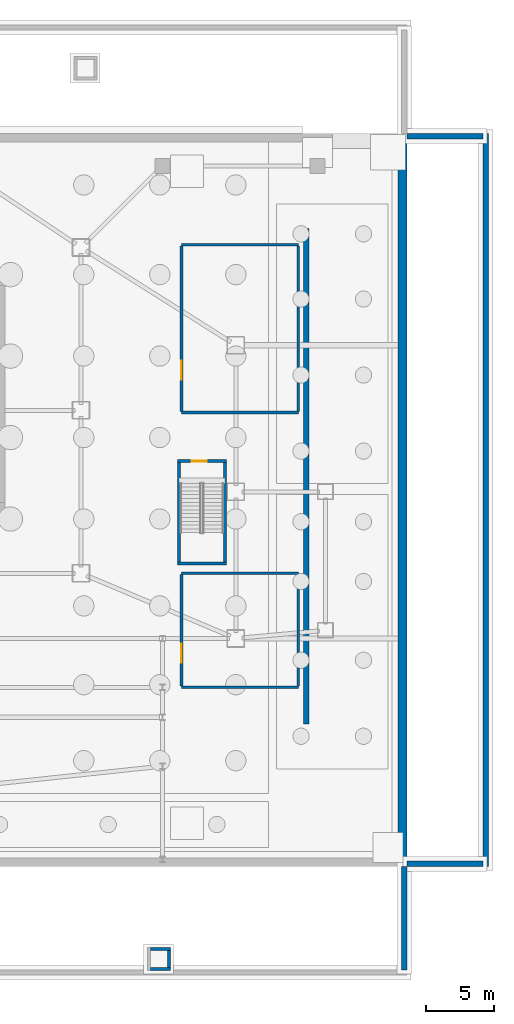
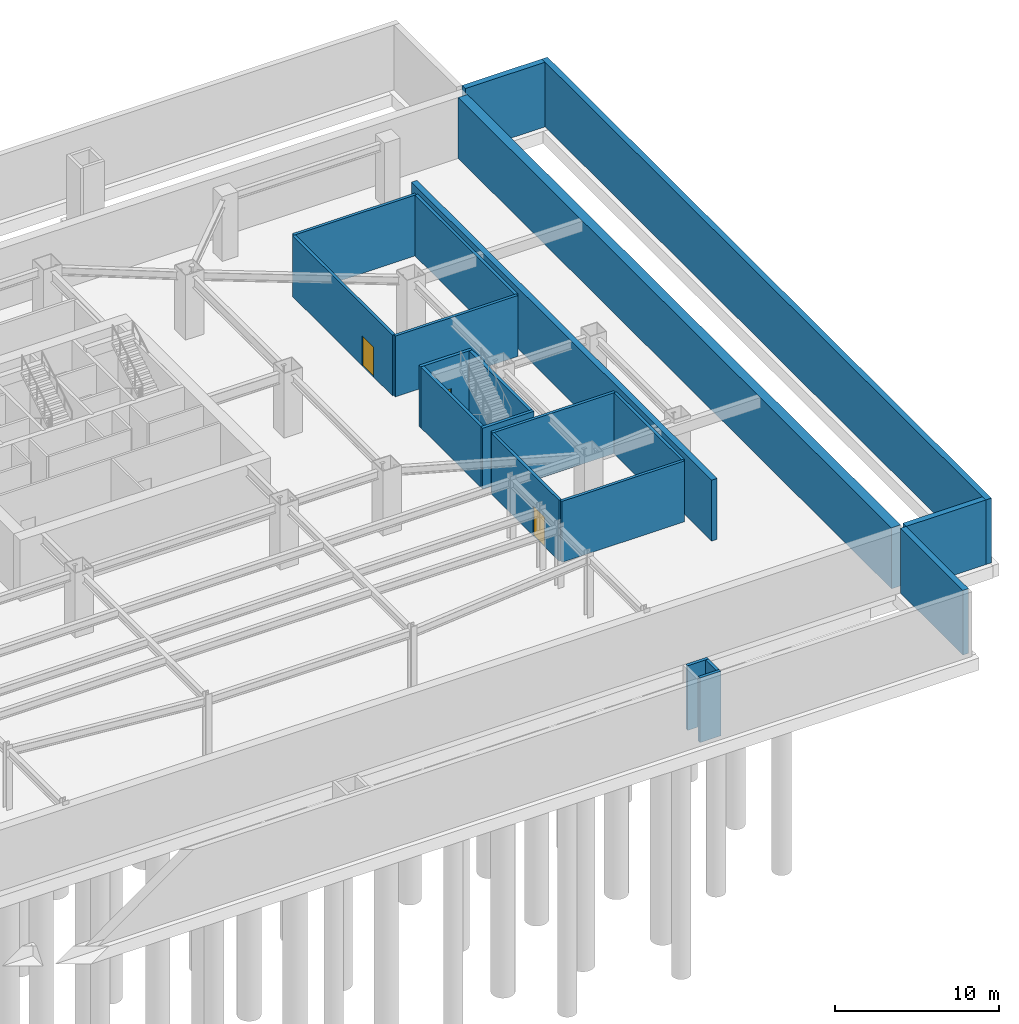
# One storey, part 10 of 15: 21 walls, 3 doors, 3 openings.
"""IFC4 building model written with IfcOpenShell, lengths in metres."""

from ifc_helpers import new_model, si_unit, direction, frame, frame_2d, origin, place, context, subcontext, project, spatial, rectangle, extrude, material, layer, layer_set, type_object, element, fill, save


model = new_model("IFC4")

# Units and contexts
model_context = context("Model", 3, precision=1e-05, world=origin(), true_north=direction((0.0, 1.0)))
body_context = subcontext(model_context, "Body", "Model", "MODEL_VIEW")
ifc_project = project(units=[si_unit("LENGTHUNIT", "METRE"), si_unit("AREAUNIT", "SQUARE_METRE"), si_unit("VOLUMEUNIT", "CUBIC_METRE"), si_unit("PLANEANGLEUNIT", "RADIAN"), si_unit("MASSUNIT", "GRAM", prefix="KILO")], contexts=[model_context])

# Site, building, storey
site_placement = place(None, origin())
site = spatial("IfcSite", under=ifc_project, at=site_placement, CompositionType="ELEMENT")
building_placement = place(site_placement, origin())
building = spatial("IfcBuilding", under=site, at=building_placement, Name="Haolan Belvedere Tower", CompositionType="ELEMENT")
storey_placement = place(building_placement, frame((0.0, 0.0, -9.60009765625)))
storey = spatial("IfcBuildingStorey", under=building, at=storey_placement, Name="B2", CompositionType="ELEMENT", Elevation=-9.60009765625)

# Walls
ifc_material_1 = material(Name="Concrete C40/50", Category="concrete")
ifc_layer_1 = layer(ifc_material_1, 0.199951171875, Name="Concrete C40/50")
ifc_layer_set_1 = layer_set([ifc_layer_1], Name="Concrete C40/50")
wall_type_1 = type_object("IfcWallType", Name="WL-FIRE-200", PredefinedType="SOLIDWALL", material=ifc_layer_set_1)
for number, where, z_axis, x_axis, name in (
    (1, (60.199951171875, 45.800048828125, 0.0), (0.0, 0.0, 1.0), (1.0, 0.0, 0.0), "B2 interior partition IW-B2-PLT-CHIL-N"),
    (2, (60.199951171875, 33.449951171875, 0.0), (0.0, 0.0, 1.0), (1.0, 0.0, 0.0), "B2 interior partition IW-B2-PLT-CHIL-S"),
):
    element("IfcWall", number, at=place(storey_placement, frame(where, z_axis=z_axis, x_axis=x_axis)), inside=storey, type_object=wall_type_1, Name=name, PredefinedType="SOLIDWALL", context=body_context, shape_type="SweptSolid", body=[
        extrude(rectangle(XDim=8.60009765625, YDim=0.199951171875, at=frame_2d((4.300048828125, 0.0))), origin(), (0.0, 0.0, 1.0), 4.52001953125),
    ])

# Wall, opening, door
wall_1_placement = place(storey_placement, frame((60.199951171875, 33.534912109375, 0.0), z_axis=(0.0, 0.0, 1.0), x_axis=(0.0, 1.0, 0.0)))
wall_1 = element("IfcWall", 3, at=wall_1_placement, inside=storey, type_object=wall_type_1, Name="B2 interior partition IW-B2-PLT-CHIL-W", PredefinedType="SOLIDWALL", context=body_context, shape_type="SweptSolid", body=[
    extrude(rectangle(XDim=12.18017578125, YDim=0.199951171875, at=frame_2d((6.090087890625, 0.0))), origin(), (0.0, 0.0, 1.0), 4.52001953125),
])
opening_1_placement = place(wall_1_placement, frame((3.71484375, 0.0, 0.0), z_axis=(0.0, 0.0, 1.0), x_axis=(-1.0, 0.0, 0.0)))
opening_1 = element("IfcOpeningElement", 4, at=opening_1_placement, cuts=wall_1, Name="Opening FD-01", PredefinedType="OPENING", context=body_context, shape_type="SweptSolid", body=[
    extrude(rectangle(XDim=1.39990234375, YDim=2.199951171875, at=frame_2d((0.699951171875, 1.10009765625))), frame((0.0, 0.10986328125, 0.0), z_axis=(0.0, -1.0, 0.0), x_axis=(1.0, 0.0, 0.0)), (0.0, 0.0, 1.0), 0.219970703125),
])
ifc_material_2 = material(Name="Galvanised fire-rated steel", Category="steel")
door_type_1 = type_object("IfcDoorType", Name="DR-FD90-1400", OperationType="DOUBLE_DOOR_SINGLE_SWING", PredefinedType="DOOR", material=ifc_material_2)
door_1_placement = place(opening_1_placement, origin())
door_1 = element("IfcDoor", 5, at=door_1_placement, inside=storey, type_object=door_type_1, Name="B2 door ID-B2-PLT-CHIL", OperationType="DOUBLE_DOOR_SINGLE_SWING", OverallHeight=2.199951171875, OverallWidth=1.39990234375, PredefinedType="DOOR", context=body_context, shape_type="SweptSolid", body=[
    extrude(rectangle(XDim=1.39990234375, YDim=2.199951171875, at=frame_2d((0.699951171875, 1.10009765625))), frame((0.0, 0.02490234375, 0.0), z_axis=(0.0, -1.0, 0.0), x_axis=(1.0, 0.0, 0.0)), (0.0, 0.0, 1.0), 0.050048828125),
])
fill(opening_1, door_1)

# Walls
wall_2_placement = place(storey_placement, frame((68.800048828125, 33.534912109375, 0.0), z_axis=(0.0, 0.0, 1.0), x_axis=(0.0, 1.0, 0.0)))
element("IfcWall", 6, at=wall_2_placement, inside=storey, type_object=wall_type_1, Name="B2 interior partition IW-B2-PLT-CHIL-E", PredefinedType="SOLIDWALL", context=body_context, shape_type="SweptSolid", body=[
    extrude(rectangle(XDim=12.18017578125, YDim=0.199951171875, at=frame_2d((6.090087890625, 0.0))), origin(), (0.0, 0.0, 1.0), 4.52001953125),
])
for number, where, z_axis, x_axis, name in (
    (7, (60.199951171875, 21.60009765625, 0.0), (0.0, 0.0, 1.0), (1.0, 0.0, 0.0), "B2 interior partition IW-B2-PLT-PUMP-N"),
    (8, (60.199951171875, 13.199951171875, 0.0), (0.0, 0.0, 1.0), (1.0, 0.0, 0.0), "B2 interior partition IW-B2-PLT-PUMP-S"),
):
    element("IfcWall", number, at=place(storey_placement, frame(where, z_axis=z_axis, x_axis=x_axis)), inside=storey, type_object=wall_type_1, Name=name, PredefinedType="SOLIDWALL", context=body_context, shape_type="SweptSolid", body=[
        extrude(rectangle(XDim=8.60009765625, YDim=0.199951171875, at=frame_2d((4.300048828125, 0.0))), origin(), (0.0, 0.0, 1.0), 4.52001953125),
    ])

# Wall, opening, door
wall_3_placement = place(storey_placement, frame((60.199951171875, 13.284912109375, 0.0), z_axis=(0.0, 0.0, 1.0), x_axis=(0.0, 1.0, 0.0)))
wall_3 = element("IfcWall", 9, at=wall_3_placement, inside=storey, type_object=wall_type_1, Name="B2 interior partition IW-B2-PLT-PUMP-W", PredefinedType="SOLIDWALL", context=body_context, shape_type="SweptSolid", body=[
    extrude(rectangle(XDim=8.22998046875, YDim=0.199951171875, at=frame_2d((4.114990234375, 0.0))), origin(), (0.0, 0.0, 1.0), 4.52001953125),
])
opening_2_placement = place(wall_3_placement, frame((3.143310546875, 0.0, 0.0), z_axis=(0.0, 0.0, 1.0), x_axis=(-1.0, 0.0, 0.0)))
opening_2 = element("IfcOpeningElement", 10, at=opening_2_placement, cuts=wall_3, Name="Opening FD-01", PredefinedType="OPENING", context=body_context, shape_type="SweptSolid", body=[
    extrude(rectangle(XDim=1.39990234375, YDim=2.199951171875, at=frame_2d((0.699951171875, 1.10009765625))), frame((0.0, 0.10986328125, 0.0), z_axis=(0.0, -1.0, 0.0), x_axis=(1.0, 0.0, 0.0)), (0.0, 0.0, 1.0), 0.219970703125),
])
door_2_placement = place(opening_2_placement, origin())
door_2 = element("IfcDoor", 11, at=door_2_placement, inside=storey, type_object=door_type_1, Name="B2 door ID-B2-PLT-PUMP", OperationType="DOUBLE_DOOR_SINGLE_SWING", OverallHeight=2.199951171875, OverallWidth=1.39990234375, PredefinedType="DOOR", context=body_context, shape_type="SweptSolid", body=[
    extrude(rectangle(XDim=1.39990234375, YDim=2.199951171875, at=frame_2d((0.699951171875, 1.10009765625))), frame((0.0, 0.02490234375, 0.0), z_axis=(0.0, -1.0, 0.0), x_axis=(1.0, 0.0, 0.0)), (0.0, 0.0, 1.0), 0.050048828125),
])
fill(opening_2, door_2)

# Walls
wall_4_placement = place(storey_placement, frame((68.800048828125, 13.284912109375, 0.0), z_axis=(0.0, 0.0, 1.0), x_axis=(0.0, 1.0, 0.0)))
element("IfcWall", 12, at=wall_4_placement, inside=storey, type_object=wall_type_1, Name="B2 interior partition IW-B2-PLT-PUMP-E", PredefinedType="SOLIDWALL", context=body_context, shape_type="SweptSolid", body=[
    extrude(rectangle(XDim=8.22998046875, YDim=0.199951171875, at=frame_2d((4.114990234375, 0.0))), origin(), (0.0, 0.0, 1.0), 4.52001953125),
])
ifc_material_3 = material(Name="Concrete C50/60", Category="concrete")
ifc_layer_2 = layer(ifc_material_3, 0.64990234375, Name="Concrete C50/60")
ifc_layer_set_2 = layer_set([ifc_layer_2], Name="Concrete C50/60")
wall_type_2 = type_object("IfcWallType", Name="WL-RET-650", PredefinedType="USERDEFINED", material=ifc_layer_set_2)
wall_5_placement = place(storey_placement, frame((76.47509765625, 0.64990234375, 0.0), z_axis=(0.0, 0.0, 1.0), x_axis=(0.0, 1.0, 0.0)))
element("IfcWall", 13, at=wall_5_placement, inside=storey, type_object=wall_type_2, Name="B2 perimeter retaining wall E", ObjectType="RETAINING", PredefinedType="USERDEFINED", context=body_context, shape_type="SweptSolid", body=[
    extrude(rectangle(XDim=52.7001953125, YDim=0.64990234375, at=frame_2d((26.35009765625, 0.0))), origin(), (0.0, 0.0, 1.0), 4.52001953125),
])
ifc_layer_3 = layer(ifc_material_3, 0.39990234375, Name="Concrete C50/60")
ifc_layer_set_3 = layer_set([ifc_layer_3], Name="Concrete C50/60")
wall_type_3 = type_object("IfcWallType", Name="WL-RMP-400", PredefinedType="SOLIDWALL", material=ifc_layer_set_3)
wall_6_placement = place(storey_placement, frame((76.60009765625, -7.60009765625, 0.0), z_axis=(0.0, 0.0, 1.0), x_axis=(0.0, 1.0, 0.0)))
element("IfcWall", 14, at=wall_6_placement, inside=storey, type_object=wall_type_3, Name="B2 apron foundation wall APW-S-E", PredefinedType="SOLIDWALL", context=body_context, shape_type="SweptSolid", body=[
    extrude(rectangle(XDim=7.60009765625, YDim=0.39990234375, at=frame_2d((3.800048828125, 0.0))), origin(), (0.0, 0.0, 1.0), 4.800048828125),
])
wall_7_placement = place(storey_placement, frame((82.60009765625, 0.0, 0.0), z_axis=(0.0, 0.0, 1.0), x_axis=(0.0, 1.0, 0.0)))
element("IfcWall", 15, at=wall_7_placement, inside=storey, type_object=wall_type_3, Name="B2 apron foundation wall APW-E-OUT", PredefinedType="SOLIDWALL", context=body_context, shape_type="SweptSolid", body=[
    extrude(rectangle(XDim=54.0, YDim=0.39990234375, at=frame_2d((27.0, 0.0))), origin(), (0.0, 0.0, 1.0), 4.800048828125),
])
for number, where, z_axis, x_axis, name in (
    (16, (76.800048828125, 0.199951171875, 0.0), (0.0, 0.0, 1.0), (1.0, 0.0, 0.0), "B2 apron foundation wall APW-E-S"),
    (17, (76.800048828125, 53.800048828125, 0.0), (0.0, 0.0, 1.0), (1.0, 0.0, 0.0), "B2 apron foundation wall APW-E-N"),
):
    element("IfcWall", number, at=place(storey_placement, frame(where, z_axis=z_axis, x_axis=x_axis)), inside=storey, type_object=wall_type_3, Name=name, PredefinedType="SOLIDWALL", context=body_context, shape_type="SweptSolid", body=[
        extrude(rectangle(XDim=5.599853515625, YDim=0.39990234375, at=frame_2d((2.7998046875, 0.0))), origin(), (0.0, 0.0, 1.0), 4.800048828125),
    ])
wall_8_placement = place(storey_placement, frame((69.39990234375, 10.5, 0.0), z_axis=(0.0, 0.0, 1.0), x_axis=(0.0, 1.0, 0.0)))
element("IfcWall", 18, at=wall_8_placement, inside=storey, type_object=wall_type_3, Name="B2 east vehicle ramp foundation RC support wall", PredefinedType="SOLIDWALL", context=body_context, shape_type="SweptSolid", body=[
    extrude(rectangle(XDim=36.5, YDim=0.39990234375, at=frame_2d((18.25, 0.0))), origin(), (0.0, 0.0, 1.0), 4.52001953125),
])

# Wall, opening, door
ifc_layer_4 = layer(ifc_material_3, 0.219970703125, Name="Concrete C50/60")
ifc_layer_set_4 = layer_set([ifc_layer_4], Name="Concrete C50/60")
wall_type_4 = type_object("IfcWallType", Name="WL-STAIR-220", PredefinedType="SHEAR", material=ifc_layer_set_4)
wall_9_placement = place(storey_placement, frame((59.89990234375, 29.860107421875, 0.0), z_axis=(0.0, 0.0, 1.0), x_axis=(1.0, 0.0, 0.0)))
wall_9 = element("IfcWall", 19, at=wall_9_placement, inside=storey, type_object=wall_type_4, Name="B2 podium stair ST5 structural shaft wall N", PredefinedType="SHEAR", context=body_context, shape_type="SweptSolid", body=[
    extrude(rectangle(XDim=3.6201171875, YDim=0.219970703125, at=frame_2d((1.81005859375, 0.0))), origin(), (0.0, 0.0, 1.0), 4.52001953125),
])
opening_3_placement = place(wall_9_placement, frame((1.050048828125, 0.0, 0.0)))
opening_3 = element("IfcOpeningElement", 20, at=opening_3_placement, cuts=wall_9, Name="Opening FD-03", PredefinedType="OPENING", context=body_context, shape_type="SweptSolid", body=[
    extrude(rectangle(XDim=1.10009765625, YDim=2.14990234375, at=frame_2d((0.550048828125, 1.074951171875))), frame((0.0, 0.119873046875, 0.0), z_axis=(0.0, -1.0, 0.0), x_axis=(1.0, 0.0, 0.0)), (0.0, 0.0, 1.0), 0.239990234375),
])
door_type_2 = type_object("IfcDoorType", Name="DR-FD90-1100", OperationType="NOTDEFINED", PredefinedType="DOOR", material=ifc_material_2)
door_3_placement = place(opening_3_placement, origin())
door_3 = element("IfcDoor", 21, at=door_3_placement, inside=storey, type_object=door_type_2, Name="B2 door ID-B2-D-ST5", OperationType="SINGLE_SWING_RIGHT", OverallHeight=2.14990234375, OverallWidth=1.10009765625, PredefinedType="DOOR", context=body_context, shape_type="SweptSolid", body=[
    extrude(rectangle(XDim=1.10009765625, YDim=2.14990234375, at=frame_2d((0.550048828125, 1.074951171875))), frame((0.0, 0.02490234375, 0.0), z_axis=(0.0, -1.0, 0.0), x_axis=(1.0, 0.0, 0.0)), (0.0, 0.0, 1.0), 0.050048828125),
])
fill(opening_3, door_3)

# Walls
wall_10_placement = place(storey_placement, frame((59.89990234375, 22.340087890625, 0.0), z_axis=(0.0, 0.0, 1.0), x_axis=(1.0, 0.0, 0.0)))
element("IfcWall", 22, at=wall_10_placement, inside=storey, type_object=wall_type_4, Name="B2 podium stair ST5 structural shaft wall S", PredefinedType="SHEAR", context=body_context, shape_type="SweptSolid", body=[
    extrude(rectangle(XDim=3.6201171875, YDim=0.219970703125, at=frame_2d((1.81005859375, 0.0))), origin(), (0.0, 0.0, 1.0), 4.52001953125),
])
for number, where, z_axis, x_axis, name in (
    (23, (60.010009765625, 22.449951171875, 0.0), (0.0, 0.0, 1.0), (0.0, 1.0, 0.0), "B2 podium stair ST5 structural shaft wall W"),
    (24, (63.409912109375, 22.449951171875, 0.0), (0.0, 0.0, 1.0), (0.0, 1.0, 0.0), "B2 podium stair ST5 structural shaft wall E"),
):
    element("IfcWall", number, at=place(storey_placement, frame(where, z_axis=z_axis, x_axis=x_axis)), inside=storey, type_object=wall_type_4, Name=name, PredefinedType="SHEAR", context=body_context, shape_type="SweptSolid", body=[
        extrude(rectangle(XDim=7.300048828125, YDim=0.219970703125, at=frame_2d((3.64990234375, 0.0))), origin(), (0.0, 0.0, 1.0), 4.52001953125),
    ])
for number, where, z_axis, x_axis, name in (
    (25, (57.909912109375, -6.050048828125, 0.0), (0.0, 0.0, 1.0), (1.0, 0.0, 0.0), "South-east plaza step-free accessible ramp AR-2 foundation stem wall B2 N"),
    (26, (57.909912109375, -7.550048828125, 0.0), (0.0, 0.0, 1.0), (1.0, 0.0, 0.0), "South-east plaza step-free accessible ramp AR-2 foundation stem wall B2 S"),
):
    element("IfcWall", number, at=place(storey_placement, frame(where, z_axis=z_axis, x_axis=x_axis)), inside=storey, type_object=wall_type_4, Name=name, PredefinedType="SHEAR", context=body_context, shape_type="SweptSolid", body=[
        extrude(rectangle(XDim=1.469970703125, YDim=0.219970703125, at=frame_2d((0.73486328125, 0.0))), origin(), (0.0, 0.0, 1.0), 4.800048828125),
    ])
wall_11_placement = place(storey_placement, frame((59.27001953125, -7.43994140625, 0.0), z_axis=(0.0, 0.0, 1.0), x_axis=(0.0, 1.0, 0.0)))
element("IfcWall", 27, at=wall_11_placement, inside=storey, type_object=wall_type_4, Name="South-east plaza step-free accessible ramp AR-2 foundation stem wall B2 E", PredefinedType="SHEAR", context=body_context, shape_type="SweptSolid", body=[
    extrude(rectangle(XDim=1.280029296875, YDim=0.219970703125, at=frame_2d((0.64013671875, 0.0))), origin(), (0.0, 0.0, 1.0), 4.800048828125),
])

save(model, "model.ifc")
